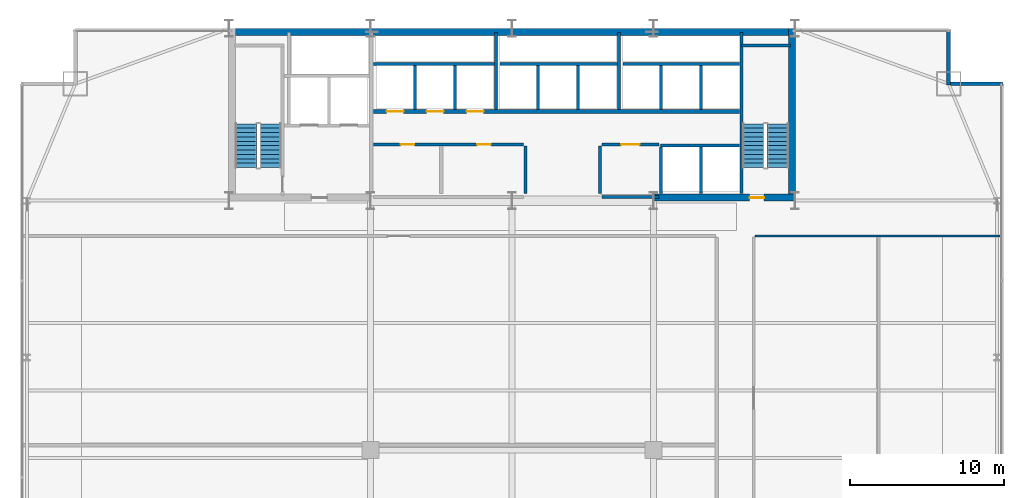
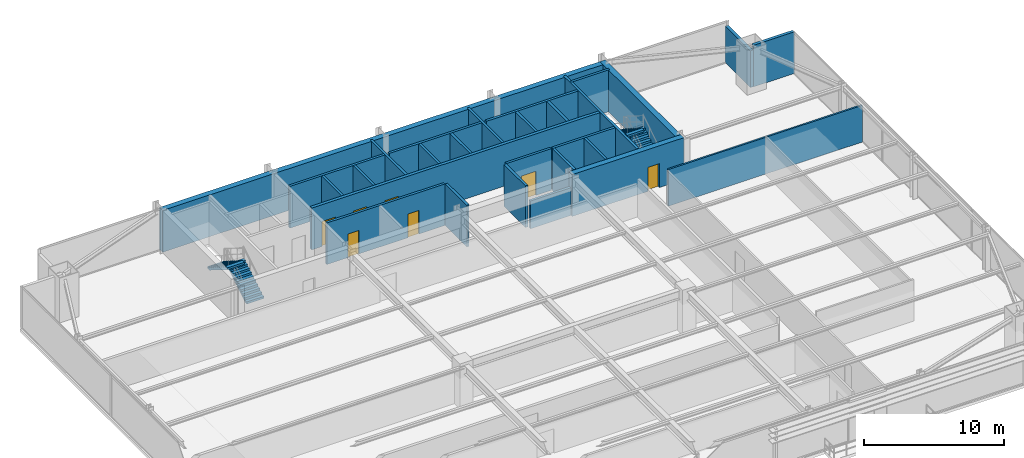
# One storey, part 28 of 31: 28 walls, 7 doors, 4 stair flights, 7 openings, 2 elements without a shape of their own.
"""IFC4 building model written with IfcOpenShell, lengths in metres."""

from ifc_helpers import new_model, si_unit, direction, frame, frame_2d, origin, place, context, subcontext, project, spatial, polyline, rectangle, outline, extrude, source, transform, mapped, material, layer, layer_set, type_object, type_shapes, element, fill, aggregate, save


model = new_model("IFC4")

# Units and contexts
model_context = context("Model", 3, precision=1e-05, world=origin(), true_north=direction((0.0, 1.0)))
body_context = subcontext(model_context, "Body", "Model", "MODEL_VIEW")
ifc_project = project(units=[si_unit("LENGTHUNIT", "METRE"), si_unit("AREAUNIT", "SQUARE_METRE"), si_unit("VOLUMEUNIT", "CUBIC_METRE"), si_unit("PLANEANGLEUNIT", "RADIAN"), si_unit("MASSUNIT", "GRAM", prefix="KILO")], contexts=[model_context])

# Site, building, storey
site_placement = place(None, origin())
site = spatial("IfcSite", under=ifc_project, at=site_placement, CompositionType="ELEMENT")
building_placement = place(site_placement, origin())
building = spatial("IfcBuilding", under=site, at=building_placement, Name="Varnel Quay Broadcast Tower", CompositionType="ELEMENT")
storey_placement = place(building_placement, frame((0.0, 0.0, 39.300048828125)))
storey = spatial("IfcBuildingStorey", under=building, at=storey_placement, Name="L08", CompositionType="ELEMENT", Elevation=39.300048828125)

# Walls
ifc_material_1 = material(Name="Concrete CSA A23.3 C50/60", Category="concrete")
ifc_layer_1 = layer(ifc_material_1, 0.199951171875, Name="Concrete CSA A23.3 C50/60")
ifc_layer_set_1 = layer_set([ifc_layer_1], Name="Concrete CSA A23.3 C50/60")
wall_type_1 = type_object("IfcWallType", Name="Wall_CoreShaftShear200", PredefinedType="SHEAR", material=ifc_layer_set_1)
wall_1_placement = place(storey_placement, frame((48.919921875, 36.050048828125, 0.0), z_axis=(0.0, 0.0, 1.0), x_axis=(0.0, 1.0, 0.0)))
element("IfcWall", 1, at=wall_1_placement, inside=storey, type_object=wall_type_1, Name="L08 Stair 2 West Structural Wall", PredefinedType="SHEAR", context=body_context, shape_type="SweptSolid", body=[
    extrude(rectangle(XDim=10.5, YDim=0.199951171875, at=frame_2d((5.25, 0.0))), origin(), (0.0, 0.0, 1.0), 3.64990234375),
])
wall_2_placement = place(storey_placement, frame((48.919921875, 45.679931640625, 0.0), z_axis=(0.0, 0.0, 1.0), x_axis=(1.0, 0.0, 0.0)))
element("IfcWall", 2, at=wall_2_placement, inside=storey, type_object=wall_type_1, Name="L08 Stair 2 North Structural Wall", PredefinedType="SHEAR", context=body_context, shape_type="SweptSolid", body=[
    extrude(rectangle(XDim=3.18017578125, YDim=0.199951171875, at=frame_2d((1.590087890625, 0.0))), origin(), (0.0, 0.0, 1.0), 3.64990234375),
])
wall_3_placement = place(storey_placement, frame((24.97998046875, 44.5, 0.0), z_axis=(0.0, 0.0, 1.0), x_axis=(1.0, 0.0, 0.0)))
element("IfcWall", 3, at=wall_3_placement, inside=storey, type_object=wall_type_1, Name="L08 Low-Rise Lift Shaft Rear Wall", PredefinedType="SHEAR", context=body_context, shape_type="SweptSolid", body=[
    extrude(rectangle(XDim=7.8701171875, YDim=0.199951171875, at=frame_2d((3.93505859375, 0.0))), origin(), (0.0, 0.0, 1.0), 3.64990234375),
])
for number, where, z_axis, x_axis, name in (
    (4, (27.699951171875, 41.530029296875, 0.0), (0.0, 0.0, 1.0), (0.0, 1.0, 0.0), "L08 Low-Rise Lift Shaft Divider 1"),
    (5, (30.300048828125, 41.530029296875, 0.0), (0.0, 0.0, 1.0), (0.0, 1.0, 0.0), "L08 Low-Rise Lift Shaft Divider 2"),
):
    element("IfcWall", number, at=place(storey_placement, frame(where, z_axis=z_axis, x_axis=x_axis)), inside=storey, type_object=wall_type_1, Name=name, PredefinedType="SHEAR", context=body_context, shape_type="SweptSolid", body=[
        extrude(rectangle(XDim=2.869873046875, YDim=0.199951171875, at=frame_2d((1.43505859375, 0.0))), origin(), (0.0, 0.0, 1.0), 3.64990234375),
    ])
wall_4_placement = place(storey_placement, frame((32.949951171875, 41.530029296875, 0.0), z_axis=(0.0, 0.0, 1.0), x_axis=(0.0, 1.0, 0.0)))
element("IfcWall", 6, at=wall_4_placement, inside=storey, type_object=wall_type_1, Name="L08 Low-Rise Lift Shaft Divider 3", PredefinedType="SHEAR", context=body_context, shape_type="SweptSolid", body=[
    extrude(rectangle(XDim=5.02001953125, YDim=0.199951171875, at=frame_2d((2.510009765625, 0.0))), origin(), (0.0, 0.0, 1.0), 3.64990234375),
])
wall_5_placement = place(storey_placement, frame((33.219970703125, 44.5, 0.0), z_axis=(0.0, 0.0, 1.0), x_axis=(1.0, 0.0, 0.0)))
element("IfcWall", 7, at=wall_5_placement, inside=storey, type_object=wall_type_1, Name="L08 Mid-Rise Lift Shaft Rear Wall", PredefinedType="SHEAR", context=body_context, shape_type="SweptSolid", body=[
    extrude(rectangle(XDim=7.630126953125, YDim=0.199951171875, at=frame_2d((3.81494140625, 0.0))), origin(), (0.0, 0.0, 1.0), 3.64990234375),
])
for number, where, z_axis, x_axis, name in (
    (8, (35.699951171875, 41.530029296875, 0.0), (0.0, 0.0, 1.0), (0.0, 1.0, 0.0), "L08 Mid-Rise Lift Shaft Divider 2"),
    (9, (38.300048828125, 41.530029296875, 0.0), (0.0, 0.0, 1.0), (0.0, 1.0, 0.0), "L08 Mid-Rise Lift Shaft Divider 3"),
):
    element("IfcWall", number, at=place(storey_placement, frame(where, z_axis=z_axis, x_axis=x_axis)), inside=storey, type_object=wall_type_1, Name=name, PredefinedType="SHEAR", context=body_context, shape_type="SweptSolid", body=[
        extrude(rectangle(XDim=2.869873046875, YDim=0.199951171875, at=frame_2d((1.43505859375, 0.0))), origin(), (0.0, 0.0, 1.0), 3.64990234375),
    ])
wall_6_placement = place(storey_placement, frame((40.949951171875, 41.530029296875, 0.0), z_axis=(0.0, 0.0, 1.0), x_axis=(0.0, 1.0, 0.0)))
element("IfcWall", 10, at=wall_6_placement, inside=storey, type_object=wall_type_1, Name="L08 Mid-Rise Lift Shaft Divider 4", PredefinedType="SHEAR", context=body_context, shape_type="SweptSolid", body=[
    extrude(rectangle(XDim=5.02001953125, YDim=0.199951171875, at=frame_2d((2.510009765625, 0.0))), origin(), (0.0, 0.0, 1.0), 3.64990234375),
])
wall_7_placement = place(storey_placement, frame((41.219970703125, 44.5, 0.0), z_axis=(0.0, 0.0, 1.0), x_axis=(1.0, 0.0, 0.0)))
element("IfcWall", 11, at=wall_7_placement, inside=storey, type_object=wall_type_1, Name="L08 High-Rise Lift Shaft Rear Wall", PredefinedType="SHEAR", context=body_context, shape_type="SweptSolid", body=[
    extrude(rectangle(XDim=7.580078125, YDim=0.199951171875, at=frame_2d((3.7900390625, 0.0))), origin(), (0.0, 0.0, 1.0), 3.64990234375),
])
for number, where, z_axis, x_axis, name in (
    (12, (43.699951171875, 41.530029296875, 0.0), (0.0, 0.0, 1.0), (0.0, 1.0, 0.0), "L08 High-Rise Lift Shaft Divider 2"),
    (13, (46.300048828125, 41.530029296875, 0.0), (0.0, 0.0, 1.0), (0.0, 1.0, 0.0), "L08 High-Rise Lift Shaft Divider 3"),
):
    element("IfcWall", number, at=place(storey_placement, frame(where, z_axis=z_axis, x_axis=x_axis)), inside=storey, type_object=wall_type_1, Name=name, PredefinedType="SHEAR", context=body_context, shape_type="SweptSolid", body=[
        extrude(rectangle(XDim=2.869873046875, YDim=0.199951171875, at=frame_2d((1.43505859375, 0.0))), origin(), (0.0, 0.0, 1.0), 3.64990234375),
    ])
for number, where, z_axis, x_axis, name in (
    (14, (43.699951171875, 36.050048828125, 0.0), (0.0, 0.0, 1.0), (0.0, 1.0, 0.0), "L08 Express Lift Shaft West Wall"),
    (15, (46.300048828125, 36.050048828125, 0.0), (0.0, 0.0, 1.0), (0.0, 1.0, 0.0), "L08 Express Lift Shaft Divider"),
):
    element("IfcWall", number, at=place(storey_placement, frame(where, z_axis=z_axis, x_axis=x_axis)), inside=storey, type_object=wall_type_1, Name=name, PredefinedType="SHEAR", context=body_context, shape_type="SweptSolid", body=[
        extrude(rectangle(XDim=3.050048828125, YDim=0.199951171875, at=frame_2d((1.52490234375, 0.0))), origin(), (0.0, 0.0, 1.0), 3.64990234375),
    ])
wall_8_placement = place(storey_placement, frame((43.64990234375, 39.199951171875, 0.0), z_axis=(0.0, 0.0, 1.0), x_axis=(1.0, 0.0, 0.0)))
element("IfcWall", 16, at=wall_8_placement, inside=storey, type_object=wall_type_1, Name="L08 Express Lift Shaft North Front Wall", PredefinedType="SHEAR", context=body_context, shape_type="SweptSolid", body=[
    extrude(rectangle(XDim=5.150146484375, YDim=0.199951171875, at=frame_2d((2.5751953125, 0.0))), origin(), (0.0, 0.0, 1.0), 3.64990234375),
])

# Wall, openings, doors
ifc_layer_2 = layer(ifc_material_1, 0.25, Name="Concrete CSA A23.3 C50/60")
ifc_layer_set_2 = layer_set([ifc_layer_2], Name="Concrete CSA A23.3 C50/60")
wall_type_2 = type_object("IfcWallType", Name="Wall_CoreShaftShear250", PredefinedType="SHEAR", material=ifc_layer_set_2)
wall_9_placement = place(storey_placement, frame((24.97998046875, 41.39990234375, 0.0), z_axis=(0.0, 0.0, 1.0), x_axis=(1.0, 0.0, 0.0)))
wall_9 = element("IfcWall", 17, at=wall_9_placement, inside=storey, type_object=wall_type_2, Name="L08 North Lift Bank & Reclaimed Suite Wall", PredefinedType="SHEAR", context=body_context, shape_type="SweptSolid", body=[
    extrude(rectangle(XDim=23.820068359375, YDim=0.25, at=frame_2d((11.91015625, 0.0))), origin(), (0.0, 0.0, 1.0), 3.64990234375),
])
opening_1_placement = place(wall_9_placement, frame((0.8701171875, 0.0, 0.0)))
opening_1 = element("IfcOpeningElement", 18, at=opening_1_placement, cuts=wall_9, Name="Opening LD-L08-PL-01", PredefinedType="OPENING", context=body_context, shape_type="SweptSolid", body=[
    extrude(rectangle(XDim=1.10009765625, YDim=2.179931640625, at=frame_2d((0.550048828125, 1.08984375))), frame((0.0, 0.135009765625, 0.0), z_axis=(0.0, -1.0, 0.0), x_axis=(1.0, 0.0, 0.0)), (0.0, 0.0, 1.0), 0.27001953125),
])
opening_2_placement = place(wall_9_placement, frame((3.469970703125, 0.0, 0.0)))
opening_2 = element("IfcOpeningElement", 19, at=opening_2_placement, cuts=wall_9, Name="Opening LD-L08-PL-02", PredefinedType="OPENING", context=body_context, shape_type="SweptSolid", body=[
    extrude(rectangle(XDim=1.10009765625, YDim=2.179931640625, at=frame_2d((0.550048828125, 1.08984375))), frame((0.0, 0.135009765625, 0.0), z_axis=(0.0, -1.0, 0.0), x_axis=(1.0, 0.0, 0.0)), (0.0, 0.0, 1.0), 0.27001953125),
])
opening_3_placement = place(wall_9_placement, frame((6.070068359375, 0.0, 0.0)))
opening_3 = element("IfcOpeningElement", 20, at=opening_3_placement, cuts=wall_9, Name="Opening LD-L08-PL-03", PredefinedType="OPENING", context=body_context, shape_type="SweptSolid", body=[
    extrude(rectangle(XDim=1.10009765625, YDim=2.179931640625, at=frame_2d((0.550048828125, 1.08984375))), frame((0.0, 0.135009765625, 0.0), z_axis=(0.0, -1.0, 0.0), x_axis=(1.0, 0.0, 0.0)), (0.0, 0.0, 1.0), 0.27001953125),
])
ifc_material_2 = material(Name="Brushed Bronze-Stainless Lift Car & Sliding Doors", Category="steel")
door_type_1 = type_object("IfcDoorType", Name="Door_LiftLanding1100", OperationType="SLIDING_TO_LEFT", PredefinedType="DOOR", material=ifc_material_2)
shared_shape_1 = source(origin(), body_context, "Body", "SweptSolid", [
    extrude(rectangle(XDim=1.10009765625, YDim=2.179931640625, at=frame_2d((0.550048828125, 1.08984375))), frame((0.0, 0.02490234375, 0.0), z_axis=(0.0, -1.0, 0.0), x_axis=(1.0, 0.0, 0.0)), (0.0, 0.0, 1.0), 0.050048828125),
])
type_shapes(door_type_1, [shared_shape_1])
door_1_placement = place(opening_1_placement, frame((1.10009765625, 0.0, 0.0), z_axis=(0.0, 0.0, 1.0), x_axis=(-1.0, 0.0, 0.0)))
door_1 = element("IfcDoor", 21, at=door_1_placement, inside=storey, type_object=door_type_1, Name="L08 Lift PL-01 Landing Door", OperationType="SLIDING_TO_LEFT", OverallHeight=2.179931640625, OverallWidth=1.10009765625, PredefinedType="DOOR", context=body_context, shape_type="MappedRepresentation", body=[
    mapped(shared_shape_1, transform((0.0, 0.0, 0.0), x_axis=(1.0, 0.0, 0.0), y_axis=(0.0, 1.0, 0.0), z_axis=(0.0, 0.0, 1.0), scale=1.0)),
])
fill(opening_1, door_1)
door_2_placement = place(opening_2_placement, frame((1.10009765625, 0.0, 0.0), z_axis=(0.0, 0.0, 1.0), x_axis=(-1.0, 0.0, 0.0)))
door_2 = element("IfcDoor", 22, at=door_2_placement, inside=storey, type_object=door_type_1, Name="L08 Lift PL-02 Landing Door", OperationType="SLIDING_TO_LEFT", OverallHeight=2.179931640625, OverallWidth=1.10009765625, PredefinedType="DOOR", context=body_context, shape_type="MappedRepresentation", body=[
    mapped(shared_shape_1, transform((0.0, 0.0, 0.0), x_axis=(1.0, 0.0, 0.0), y_axis=(0.0, 1.0, 0.0), z_axis=(0.0, 0.0, 1.0), scale=1.0)),
])
fill(opening_2, door_2)
door_3_placement = place(opening_3_placement, frame((1.10009765625, 0.0, 0.0), z_axis=(0.0, 0.0, 1.0), x_axis=(-1.0, 0.0, 0.0)))
door_3 = element("IfcDoor", 23, at=door_3_placement, inside=storey, type_object=door_type_1, Name="L08 Lift PL-03 Landing Door", OperationType="SLIDING_TO_LEFT", OverallHeight=2.179931640625, OverallWidth=1.10009765625, PredefinedType="DOOR", context=body_context, shape_type="MappedRepresentation", body=[
    mapped(shared_shape_1, transform((0.0, 0.0, 0.0), x_axis=(1.0, 0.0, 0.0), y_axis=(0.0, 1.0, 0.0), z_axis=(0.0, 0.0, 1.0), scale=1.0)),
])
fill(opening_3, door_3)

# Walls
ifc_material_3 = material(Name="Concrete CSA A23.3 C60/75", Category="concrete")
ifc_layer_3 = layer(ifc_material_3, 0.449951171875, Name="Concrete CSA A23.3 C60/75")
ifc_layer_set_3 = layer_set([ifc_layer_3], Name="Concrete CSA A23.3 C60/75")
wall_type_3 = type_object("IfcWallType", Name="Wall_CoreShearExt450", PredefinedType="SHEAR", material=ifc_layer_set_3)
wall_10_placement = place(storey_placement, frame((15.60009765625, 46.574951171875, 0.0), z_axis=(0.0, 0.0, 1.0), x_axis=(1.0, 0.0, 0.0)))
element("IfcWall", 24, at=wall_10_placement, inside=storey, type_object=wall_type_3, Name="L08 North Core Shear Wall", PredefinedType="SHEAR", context=body_context, shape_type="SweptSolid", body=[
    extrude(rectangle(XDim=36.7998046875, YDim=0.449951171875, at=frame_2d((18.39990234375, 0.0))), origin(), (0.0, 0.0, 1.0), 3.64990234375),
])
ifc_layer_4 = layer(ifc_material_3, 0.449951171875, Name="Concrete CSA A23.3 C60/75")
ifc_layer_set_4 = layer_set([ifc_layer_4], Name="Concrete CSA A23.3 C60/75")
wall_type_4 = type_object("IfcWallType", Name="Wall_CoreShearInt450", PredefinedType="SHEAR", material=ifc_layer_set_4)
wall_11_placement = place(storey_placement, frame((52.205078125, 35.570068359375, 0.0), z_axis=(0.0, 0.0, 1.0), x_axis=(0.0, 1.0, 0.0)))
element("IfcWall", 25, at=wall_11_placement, inside=storey, type_object=wall_type_4, Name="L08 East Core Shear Wall", PredefinedType="SHEAR", context=body_context, shape_type="SweptSolid", body=[
    extrude(rectangle(XDim=11.22998046875, YDim=0.449951171875, at=frame_2d((5.614990234375, 0.0))), origin(), (0.0, 0.0, 1.0), 3.64990234375),
])

# Wall, opening, door
wall_12_placement = place(storey_placement, frame((43.199951171875, 35.794921875, 0.0), z_axis=(0.0, 0.0, 1.0), x_axis=(1.0, 0.0, 0.0)))
wall_12 = element("IfcWall", 26, at=wall_12_placement, inside=storey, type_object=wall_type_4, Name="L08 South-East Core Shear Wall", PredefinedType="SHEAR", context=body_context, shape_type="SweptSolid", body=[
    extrude(rectangle(XDim=9.22998046875, YDim=0.449951171875, at=frame_2d((4.614990234375, 0.0))), origin(), (0.0, 0.0, 1.0), 3.64990234375),
])
opening_4_placement = place(wall_12_placement, frame((6.25, 0.0, 0.0)))
opening_4 = element("IfcOpeningElement", 27, at=opening_4_placement, cuts=wall_12, Name="Opening D-L08-S2", PredefinedType="OPENING", context=body_context, shape_type="SweptSolid", body=[
    extrude(rectangle(XDim=0.949951171875, YDim=2.10009765625, at=frame_2d((0.47509765625, 1.050048828125))), frame((0.0, 0.23486328125, 0.0), z_axis=(0.0, -1.0, 0.0), x_axis=(1.0, 0.0, 0.0)), (0.0, 0.0, 1.0), 0.469970703125),
])
ifc_material_4 = material(Name="Insulated Fire-Rated Hollow Steel Door", Category="steel")
door_type_2 = type_object("IfcDoorType", Name="Door_FireStair950", OperationType="NOTDEFINED", PredefinedType="DOOR", material=ifc_material_4)
shared_shape_2 = source(origin(), body_context, "Body", "SweptSolid", [
    extrude(rectangle(XDim=0.949951171875, YDim=2.10009765625, at=frame_2d((0.47509765625, 1.050048828125))), frame((0.0, 0.02490234375, 0.0), z_axis=(0.0, -1.0, 0.0), x_axis=(1.0, 0.0, 0.0)), (0.0, 0.0, 1.0), 0.050048828125),
])
type_shapes(door_type_2, [shared_shape_2])
door_4_placement = place(opening_4_placement, origin())
door_4 = element("IfcDoor", 28, at=door_4_placement, inside=storey, type_object=door_type_2, Name="L08 Stair 2 Fire Door", OperationType="SINGLE_SWING_RIGHT", OverallHeight=2.10009765625, OverallWidth=0.949951171875, PredefinedType="DOOR", context=body_context, shape_type="MappedRepresentation", body=[
    mapped(shared_shape_2, transform((0.0, 0.0, 0.0), x_axis=(1.0, 0.0, 0.0), y_axis=(0.0, 1.0, 0.0), z_axis=(0.0, 0.0, 1.0), scale=1.0)),
])
fill(opening_4, door_4)

# Walls
ifc_material_5 = material(Name="Precast Architectural Concrete C40/50", Category="concrete")
ifc_layer_5 = layer(ifc_material_5, 0.25, Name="Precast Architectural Concrete C40/50")
ifc_layer_set_5 = layer_set([ifc_layer_5], Name="Precast Architectural Concrete C40/50")
wall_type_5 = type_object("IfcWallType", Name="Wall_ExtTerrace250", PredefinedType="SOLIDWALL", material=ifc_layer_set_5)
wall_13_placement = place(storey_placement, frame((62.530029296875, 43.199951171875, 0.0), z_axis=(0.0, 0.0, 1.0), x_axis=(1.0, 0.0, 0.0)))
element("IfcWall", 29, at=wall_13_placement, inside=storey, type_object=wall_type_5, Name="L08 Mega-Column Notch Cladding Wall NNE1", PredefinedType="SOLIDWALL", context=body_context, shape_type="SweptSolid", body=[
    extrude(rectangle(XDim=3.389892578125, YDim=0.25, at=frame_2d((1.69482421875, 0.0))), origin(), (0.0, 0.0, 1.0), 3.6298828125),
])
wall_14_placement = place(storey_placement, frame((62.39990234375, 43.1201171875, 0.0), z_axis=(0.0, 0.0, 1.0), x_axis=(0.0, 1.0, 0.0)))
element("IfcWall", 30, at=wall_14_placement, inside=storey, type_object=wall_type_5, Name="L08 Mega-Column Notch Cladding Wall NNE2", PredefinedType="SOLIDWALL", context=body_context, shape_type="SweptSolid", body=[
    extrude(rectangle(XDim=3.599853515625, YDim=0.25, at=frame_2d((1.7998046875, 0.0))), origin(), (0.0, 0.0, 1.0), 3.2080078125),
])
ifc_material_6 = material(Name="Concrete Blockwork Fire Enclosure C40/50", Category="masonry")
ifc_layer_6 = layer(ifc_material_6, 0.199951171875, Name="Concrete Blockwork Fire Enclosure C40/50")
ifc_layer_set_6 = layer_set([ifc_layer_6], Name="Concrete Blockwork Fire Enclosure C40/50")
wall_type_6 = type_object("IfcWallType", Name="Wall_FireShaft200", PredefinedType="SOLIDWALL", material=ifc_layer_set_6)
wall_15_placement = place(storey_placement, frame((39.85009765625, 35.824951171875, 0.0), z_axis=(0.0, 0.0, 1.0), x_axis=(1.0, 0.0, 0.0)))
element("IfcWall", 31, at=wall_15_placement, inside=storey, type_object=wall_type_6, Name="L08 Electrical Sub-Distribution Closet Partition 5", PredefinedType="SOLIDWALL", context=body_context, shape_type="SweptSolid", body=[
    extrude(rectangle(XDim=3.699951171875, YDim=0.199951171875, at=frame_2d((1.85009765625, 0.0))), origin(), (0.0, 0.0, 1.0), 2.425048828125),
])

# Wall, opening, door
wall_16_placement = place(storey_placement, frame((39.85009765625, 39.25, 0.0), z_axis=(0.0, 0.0, 1.0), x_axis=(1.0, 0.0, 0.0)))
wall_16 = element("IfcWall", 32, at=wall_16_placement, inside=storey, type_object=wall_type_6, Name="L08 Electrical Sub-Distribution Closet Partition 6", PredefinedType="SOLIDWALL", context=body_context, shape_type="SweptSolid", body=[
    extrude(rectangle(XDim=3.699951171875, YDim=0.199951171875, at=frame_2d((1.85009765625, 0.0))), origin(), (0.0, 0.0, 1.0), 3.6298828125),
])
opening_5_placement = place(wall_16_placement, frame((1.25, 0.0, 0.0)))
opening_5 = element("IfcOpeningElement", 33, at=opening_5_placement, cuts=wall_16, Name="Opening D-L08-03", PredefinedType="OPENING", context=body_context, shape_type="SweptSolid", body=[
    extrude(rectangle(XDim=1.199951171875, YDim=2.10009765625, at=frame_2d((0.60009765625, 1.050048828125))), frame((0.0, 0.10986328125, 0.0), z_axis=(0.0, -1.0, 0.0), x_axis=(1.0, 0.0, 0.0)), (0.0, 0.0, 1.0), 0.219970703125),
])
door_type_3 = type_object("IfcDoorType", Name="Door_Plant1200", OperationType="NOTDEFINED", PredefinedType="DOOR", material=ifc_material_4)
shared_shape_3 = source(origin(), body_context, "Body", "SweptSolid", [
    extrude(rectangle(XDim=1.199951171875, YDim=2.10009765625, at=frame_2d((0.60009765625, 1.050048828125))), frame((0.0, 0.02490234375, 0.0), z_axis=(0.0, -1.0, 0.0), x_axis=(1.0, 0.0, 0.0)), (0.0, 0.0, 1.0), 0.050048828125),
])
type_shapes(door_type_3, [shared_shape_3])
door_5_placement = place(opening_5_placement, origin())
door_5 = element("IfcDoor", 34, at=door_5_placement, inside=storey, type_object=door_type_3, Name="L08 Electrical Sub-Distribution Closet Door D-L08-03", OperationType="SINGLE_SWING_LEFT", OverallHeight=2.10009765625, OverallWidth=1.199951171875, PredefinedType="DOOR", context=body_context, shape_type="MappedRepresentation", body=[
    mapped(shared_shape_3, transform((0.0, 0.0, 0.0), x_axis=(1.0, 0.0, 0.0), y_axis=(0.0, 1.0, 0.0), z_axis=(0.0, 0.0, 1.0), scale=1.0)),
])
fill(opening_5, door_5)

# Walls
wall_17_placement = place(storey_placement, frame((39.72509765625, 36.050048828125, 0.0), z_axis=(0.0, 0.0, 1.0), x_axis=(0.0, 1.0, 0.0)))
element("IfcWall", 35, at=wall_17_placement, inside=storey, type_object=wall_type_6, Name="L08 Electrical Sub-Distribution Closet Partition 7", PredefinedType="SOLIDWALL", context=body_context, shape_type="SweptSolid", body=[
    extrude(rectangle(XDim=3.099853515625, YDim=0.199951171875, at=frame_2d((1.5498046875, 0.0))), origin(), (0.0, 0.0, 1.0), 3.6298828125),
])
ifc_material_7 = material(Name="Steel-Stud Fire-Rated Acoustic Gypsum Partition Assembly", Category="steel")
ifc_layer_7 = layer(ifc_material_7, 0.139892578125, Name="Steel-Stud Fire-Rated Acoustic Gypsum Partition Assembly")
ifc_layer_set_7 = layer_set([ifc_layer_7], Name="Steel-Stud Fire-Rated Acoustic Gypsum Partition Assembly")
wall_type_7 = type_object("IfcWallType", Name="Wall_Partition140", PredefinedType="PARTITIONING", material=ifc_layer_set_7)
wall_18_placement = place(storey_placement, frame((49.820068359375, 33.300048828125, 0.0), z_axis=(0.0, 0.0, 1.0), x_axis=(1.0, 0.0, 0.0)))
element("IfcWall", 36, at=wall_18_placement, inside=storey, type_object=wall_type_7, Name="L08 Talent Lounge 5 Partition 15", PredefinedType="PARTITIONING", context=body_context, shape_type="SweptSolid", body=[
    extrude(rectangle(XDim=16.0, YDim=0.139892578125, at=frame_2d((8.0, 0.0))), origin(), (0.0, 0.0, 1.0), 3.2080078125),
])

# Wall, openings, doors
ifc_material_8 = material(Name="Fire-Rated Moisture-Resistant Plumbing Chase Partition")
ifc_layer_8 = layer(ifc_material_8, 0.199951171875, Name="Fire-Rated Moisture-Resistant Plumbing Chase Partition")
ifc_layer_set_8 = layer_set([ifc_layer_8], Name="Fire-Rated Moisture-Resistant Plumbing Chase Partition")
wall_type_8 = type_object("IfcWallType", Name="Wall_Plumbing200", PredefinedType="PLUMBINGWALL", material=ifc_layer_set_8)
wall_19_placement = place(storey_placement, frame((25.0, 39.25, 0.0), z_axis=(0.0, 0.0, 1.0), x_axis=(1.0, 0.0, 0.0)))
wall_19 = element("IfcWall", 37, at=wall_19_placement, inside=storey, type_object=wall_type_8, Name="L08 Accessible Washroom Partition 3", PredefinedType="PLUMBINGWALL", context=body_context, shape_type="SweptSolid", body=[
    extrude(rectangle(XDim=9.75, YDim=0.199951171875, at=frame_2d((4.875, 0.0))), origin(), (0.0, 0.0, 1.0), 3.6298828125),
])
opening_6_placement = place(wall_19_placement, frame((1.75, 0.0, 0.0)))
opening_6 = element("IfcOpeningElement", 38, at=opening_6_placement, cuts=wall_19, Name="Opening D-L08-01", PredefinedType="OPENING", context=body_context, shape_type="SweptSolid", body=[
    extrude(rectangle(XDim=0.89990234375, YDim=2.06005859375, at=frame_2d((0.449951171875, 1.030029296875))), frame((0.0, 0.10986328125, 0.0), z_axis=(0.0, -1.0, 0.0), x_axis=(1.0, 0.0, 0.0)), (0.0, 0.0, 1.0), 0.219970703125),
])
opening_7_placement = place(wall_19_placement, frame((6.72509765625, 0.0, 0.0)))
opening_7 = element("IfcOpeningElement", 39, at=opening_7_placement, cuts=wall_19, Name="Opening D-L08-02", PredefinedType="OPENING", context=body_context, shape_type="SweptSolid", body=[
    extrude(rectangle(XDim=0.89990234375, YDim=2.06005859375, at=frame_2d((0.449951171875, 1.030029296875))), frame((0.0, 0.10986328125, 0.0), z_axis=(0.0, -1.0, 0.0), x_axis=(1.0, 0.0, 0.0)), (0.0, 0.0, 1.0), 0.219970703125),
])
ifc_material_9 = material(Name="Solid-Core Fire-Rated Acoustic Oak Veneer Door", Category="wood")
door_type_4 = type_object("IfcDoorType", Name="Door_Washroom900", OperationType="NOTDEFINED", PredefinedType="DOOR", material=ifc_material_9)
shared_shape_4 = source(origin(), body_context, "Body", "SweptSolid", [
    extrude(rectangle(XDim=0.89990234375, YDim=2.06005859375, at=frame_2d((0.449951171875, 1.030029296875))), frame((0.0, 0.02490234375, 0.0), z_axis=(0.0, -1.0, 0.0), x_axis=(1.0, 0.0, 0.0)), (0.0, 0.0, 1.0), 0.050048828125),
])
type_shapes(door_type_4, [shared_shape_4])
door_6_placement = place(opening_6_placement, frame((0.89990234375, 0.0, 0.0), z_axis=(0.0, 0.0, 1.0), x_axis=(-1.0, 0.0, 0.0)))
door_6 = element("IfcDoor", 40, at=door_6_placement, inside=storey, type_object=door_type_4, Name="L08 Accessible Washroom Door D-L08-01", OperationType="SINGLE_SWING_LEFT", OverallHeight=2.06005859375, OverallWidth=0.89990234375, PredefinedType="DOOR", context=body_context, shape_type="MappedRepresentation", body=[
    mapped(shared_shape_4, transform((0.0, 0.0, 0.0), x_axis=(1.0, 0.0, 0.0), y_axis=(0.0, 1.0, 0.0), z_axis=(0.0, 0.0, 1.0), scale=1.0)),
])
fill(opening_6, door_6)
door_7_placement = place(opening_7_placement, frame((0.89990234375, 0.0, 0.0), z_axis=(0.0, 0.0, 1.0), x_axis=(-1.0, 0.0, 0.0)))
door_7 = element("IfcDoor", 41, at=door_7_placement, inside=storey, type_object=door_type_4, Name="L08 Staff Washrooms Door D-L08-02", OperationType="SINGLE_SWING_RIGHT", OverallHeight=2.06005859375, OverallWidth=0.89990234375, PredefinedType="DOOR", context=body_context, shape_type="MappedRepresentation", body=[
    mapped(shared_shape_4, transform((0.0, 0.0, 0.0), x_axis=(1.0, 0.0, 0.0), y_axis=(0.0, 1.0, 0.0), z_axis=(0.0, 0.0, 1.0), scale=1.0)),
])
fill(opening_7, door_7)

# Wall
wall_20_placement = place(storey_placement, frame((34.875, 36.050048828125, 0.0), z_axis=(0.0, 0.0, 1.0), x_axis=(0.0, 1.0, 0.0)))
element("IfcWall", 42, at=wall_20_placement, inside=storey, type_object=wall_type_8, Name="L08 Staff Washrooms Partition 4", PredefinedType="PLUMBINGWALL", context=body_context, shape_type="SweptSolid", body=[
    extrude(rectangle(XDim=3.099853515625, YDim=0.199951171875, at=frame_2d((1.5498046875, 0.0))), origin(), (0.0, 0.0, 1.0), 3.6298828125),
])

# Stair, stair flights
ifc_material_10 = material(Name="Precast Structural Concrete C40/50", Category="concrete")
stair_type_1 = type_object("IfcStairType", Name="Stair_ST-01", PredefinedType="HALF_TURN_STAIR", material=ifc_material_10)
stair_1_placement = place(storey_placement, origin())
stair_1 = element("IfcStair", 43, at=stair_1_placement, inside=storey, type_object=stair_type_1, Name="L08 West Core Exit Stair 1", PredefinedType="HALF_TURN_STAIR")
stair_flight_type_1 = type_object("IfcStairFlightType", Name="Flight_ST-01", PredefinedType="STRAIGHT", material=ifc_material_10)
stair_flight_1_placement = place(storey_placement, frame((18.300048828125, 37.75, 0.0), z_axis=(0.0, 0.0, 1.0), x_axis=(0.0, 1.0, 0.0)))
stair_flight_1 = element("IfcStairFlight", 44, at=stair_flight_1_placement, type_object=stair_flight_type_1, Name="ST-01 flight 1", NumberOfRisers=11, NumberOfTreads=10, PredefinedType="STRAIGHT", RiserHeight=0.177272727, TreadLength=0.285, context=body_context, shape_type="SweptSolid", body=[
    extrude(outline(polyline([(0.0, 0.0), (0.0, 0.17724609375), (0.284912109375, 0.17724609375), (0.284912109375, 0.3544921875), (0.570068359375, 0.3544921875), (0.570068359375, 0.53173828125), (0.85498046875, 0.53173828125), (0.85498046875, 0.708984375), (1.139892578125, 0.708984375), (1.139892578125, 0.886474609375), (1.425048828125, 0.886474609375), (1.425048828125, 1.063720703125), (1.7099609375, 1.063720703125), (1.7099609375, 1.240966796875), (1.9951171875, 1.240966796875), (1.9951171875, 1.418212890625), (2.280029296875, 1.418212890625), (2.280029296875, 1.595458984375), (2.56494140625, 1.595458984375), (2.56494140625, 1.772705078125), (2.85009765625, 1.772705078125), (2.85009765625, 1.949951171875), (2.85009765625, 1.59619140625), (0.283935546875, 0.0), (0.0, 0.0)])), frame((0.0, 0.699951171875, 0.0), z_axis=(0.0, -1.0, 0.0), x_axis=(1.0, 0.0, 0.0)), (0.0, 0.0, 1.0), 1.39990234375),
])
stair_flight_2_placement = place(storey_placement, frame((16.699951171875, 40.60009765625, 1.949951171875), z_axis=(0.0, 0.0, 1.0), x_axis=(0.0, -1.0, 0.0)))
stair_flight_2 = element("IfcStairFlight", 45, at=stair_flight_2_placement, type_object=stair_flight_type_1, Name="ST-01 flight 2", NumberOfRisers=11, NumberOfTreads=10, PredefinedType="STRAIGHT", RiserHeight=0.177272727, TreadLength=0.285, context=body_context, shape_type="SweptSolid", body=[
    extrude(outline(polyline([(0.0, 0.0), (0.0, 0.17724609375), (0.284912109375, 0.17724609375), (0.284912109375, 0.3544921875), (0.570068359375, 0.3544921875), (0.570068359375, 0.53173828125), (0.85498046875, 0.53173828125), (0.85498046875, 0.708984375), (1.139892578125, 0.708984375), (1.139892578125, 0.886474609375), (1.425048828125, 0.886474609375), (1.425048828125, 1.063720703125), (1.7099609375, 1.063720703125), (1.7099609375, 1.240966796875), (1.9951171875, 1.240966796875), (1.9951171875, 1.418212890625), (2.280029296875, 1.418212890625), (2.280029296875, 1.595458984375), (2.56494140625, 1.595458984375), (2.56494140625, 1.772705078125), (2.85009765625, 1.772705078125), (2.85009765625, 1.949951171875), (2.85009765625, 1.59619140625), (0.283935546875, 0.0), (0.0, 0.0)])), frame((0.0, 0.699951171875, 0.0), z_axis=(0.0, -1.0, 0.0), x_axis=(1.0, 0.0, 0.0)), (0.0, 0.0, 1.0), 1.39990234375),
])
aggregate(stair_1, [stair_flight_1, stair_flight_2])

stair_type_2 = type_object("IfcStairType", Name="Stair_ST-02", PredefinedType="HALF_TURN_STAIR", material=ifc_material_10)
stair_2_placement = place(storey_placement, origin())
stair_2 = element("IfcStair", 46, at=stair_2_placement, inside=storey, type_object=stair_type_2, Name="L08 East Core Exit Stair 2", PredefinedType="HALF_TURN_STAIR")
stair_flight_type_2 = type_object("IfcStairFlightType", Name="Flight_ST-02", PredefinedType="STRAIGHT", material=ifc_material_10)
stair_flight_3_placement = place(storey_placement, frame((51.300048828125, 37.75, 0.0), z_axis=(0.0, 0.0, 1.0), x_axis=(0.0, 1.0, 0.0)))
stair_flight_3 = element("IfcStairFlight", 47, at=stair_flight_3_placement, type_object=stair_flight_type_2, Name="ST-02 flight 1", NumberOfRisers=11, NumberOfTreads=10, PredefinedType="STRAIGHT", RiserHeight=0.177272727, TreadLength=0.285, context=body_context, shape_type="SweptSolid", body=[
    extrude(outline(polyline([(0.0, 0.0), (0.0, 0.17724609375), (0.284912109375, 0.17724609375), (0.284912109375, 0.3544921875), (0.570068359375, 0.3544921875), (0.570068359375, 0.53173828125), (0.85498046875, 0.53173828125), (0.85498046875, 0.708984375), (1.139892578125, 0.708984375), (1.139892578125, 0.886474609375), (1.425048828125, 0.886474609375), (1.425048828125, 1.063720703125), (1.7099609375, 1.063720703125), (1.7099609375, 1.240966796875), (1.9951171875, 1.240966796875), (1.9951171875, 1.418212890625), (2.280029296875, 1.418212890625), (2.280029296875, 1.595458984375), (2.56494140625, 1.595458984375), (2.56494140625, 1.772705078125), (2.85009765625, 1.772705078125), (2.85009765625, 1.949951171875), (2.85009765625, 1.59619140625), (0.283935546875, 0.0), (0.0, 0.0)])), frame((0.0, 0.699951171875, 0.0), z_axis=(0.0, -1.0, 0.0), x_axis=(1.0, 0.0, 0.0)), (0.0, 0.0, 1.0), 1.39990234375),
])
stair_flight_4_placement = place(storey_placement, frame((49.699951171875, 40.60009765625, 1.949951171875), z_axis=(0.0, 0.0, 1.0), x_axis=(0.0, -1.0, 0.0)))
stair_flight_4 = element("IfcStairFlight", 48, at=stair_flight_4_placement, type_object=stair_flight_type_2, Name="ST-02 flight 2", NumberOfRisers=11, NumberOfTreads=10, PredefinedType="STRAIGHT", RiserHeight=0.177272727, TreadLength=0.285, context=body_context, shape_type="SweptSolid", body=[
    extrude(outline(polyline([(0.0, 0.0), (0.0, 0.17724609375), (0.284912109375, 0.17724609375), (0.284912109375, 0.3544921875), (0.570068359375, 0.3544921875), (0.570068359375, 0.53173828125), (0.85498046875, 0.53173828125), (0.85498046875, 0.708984375), (1.139892578125, 0.708984375), (1.139892578125, 0.886474609375), (1.425048828125, 0.886474609375), (1.425048828125, 1.063720703125), (1.7099609375, 1.063720703125), (1.7099609375, 1.240966796875), (1.9951171875, 1.240966796875), (1.9951171875, 1.418212890625), (2.280029296875, 1.418212890625), (2.280029296875, 1.595458984375), (2.56494140625, 1.595458984375), (2.56494140625, 1.772705078125), (2.85009765625, 1.772705078125), (2.85009765625, 1.949951171875), (2.85009765625, 1.59619140625), (0.283935546875, 0.0), (0.0, 0.0)])), frame((0.0, 0.699951171875, 0.0), z_axis=(0.0, -1.0, 0.0), x_axis=(1.0, 0.0, 0.0)), (0.0, 0.0, 1.0), 1.39990234375),
])
aggregate(stair_2, [stair_flight_3, stair_flight_4])

save(model, "model.ifc")
